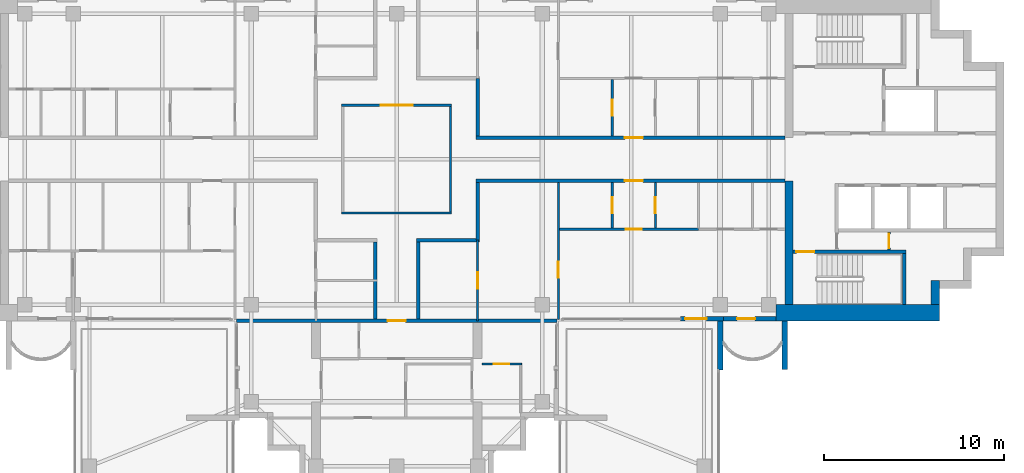
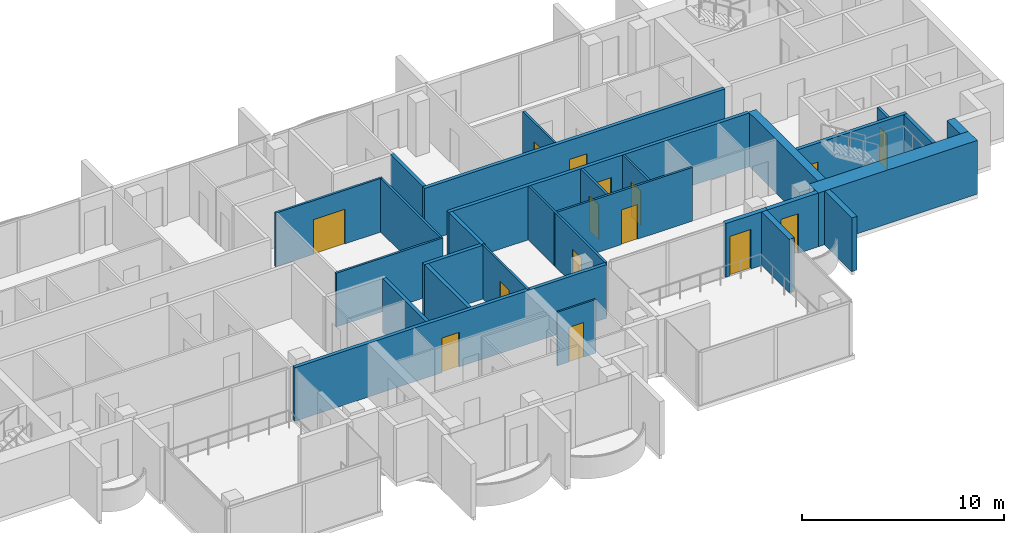
# One storey, part 10 of 16: 28 walls, 15 doors, 15 openings.
"""IFC4 building model written with IfcOpenShell, lengths in metres."""

from ifc_helpers import new_model, si_unit, direction, frame, frame_2d, origin, place, context, subcontext, project, spatial, rectangle, extrude, material, layer, layer_set, type_object, element, fill, save


model = new_model("IFC4")

# Units and contexts
model_context = context("Model", 3, precision=1e-05, world=origin(), true_north=direction((0.0, 1.0)))
body_context = subcontext(model_context, "Body", "Model", "MODEL_VIEW")
ifc_project = project(units=[si_unit("LENGTHUNIT", "METRE"), si_unit("AREAUNIT", "SQUARE_METRE"), si_unit("VOLUMEUNIT", "CUBIC_METRE"), si_unit("PLANEANGLEUNIT", "RADIAN"), si_unit("MASSUNIT", "GRAM", prefix="KILO")], contexts=[model_context])

# Site, building, storey
site_placement = place(None, origin())
site = spatial("IfcSite", under=ifc_project, at=site_placement, CompositionType="ELEMENT")
building_placement = place(site_placement, origin())
building = spatial("IfcBuilding", under=site, at=building_placement, Name="Perihelion Cross Residences", CompositionType="ELEMENT")
storey_placement = place(building_placement, frame((0.0, 0.0, 243.0)))
storey = spatial("IfcBuildingStorey", under=building, at=storey_placement, Name="L61", CompositionType="ELEMENT", Elevation=243.0)

# Wall, opening, door
ifc_material_1 = material(Name="Plasterboard partition")
ifc_layer_1 = layer(ifc_material_1, 0.199951171875)
ifc_layer_set_1 = layer_set([ifc_layer_1], Name="Apartment separation wall 200")
wall_type_1 = type_object("IfcWallType", Name="Apartment separation wall 200", PredefinedType="PARTITIONING", material=ifc_layer_set_1)
wall_1_placement = place(storey_placement, frame((4.39990234375, 1.199951171875, 0.0), z_axis=(0.0, 0.0, 1.0), x_axis=(1.0, 0.0, 0.0)))
wall_1 = element("IfcWall", 1, at=wall_1_placement, inside=storey, type_object=wall_type_1, Name="Partition L61 W005", PredefinedType="PARTITIONING", context=body_context, shape_type="SweptSolid", body=[
    extrude(rectangle(XDim=17.2001953125, YDim=0.199951171875, at=frame_2d((8.60009765625, 0.0))), origin(), (0.0, 0.0, 1.0), 3.25),
])
opening_1_placement = place(wall_1_placement, frame((8.300048828125, 0.0, 0.0)))
opening_1 = element("IfcOpeningElement", 2, at=opening_1_placement, cuts=wall_1, Name="Opening L61.A38", PredefinedType="OPENING", context=body_context, shape_type="SweptSolid", body=[
    extrude(rectangle(XDim=1.0, YDim=2.10009765625, at=frame_2d((0.5, 1.050048828125))), frame((0.0, 0.10986328125, 0.0), z_axis=(0.0, -1.0, 0.0), x_axis=(1.0, 0.0, 0.0)), (0.0, 0.0, 1.0), 0.219970703125),
])
ifc_material_2 = material(Name="Timber door leaf", Category="wood")
door_type_1 = type_object("IfcDoorType", Name="Flat entrance door 1000 x 2100", OperationType="SINGLE_SWING_LEFT", PredefinedType="DOOR", material=ifc_material_2)
door_1_placement = place(opening_1_placement, origin())
door_1 = element("IfcDoor", 3, at=door_1_placement, inside=storey, type_object=door_type_1, Name="Door L61.A38", OperationType="SINGLE_SWING_LEFT", OverallHeight=2.10009765625, OverallWidth=1.0, PredefinedType="DOOR", context=body_context, shape_type="SweptSolid", body=[
    extrude(rectangle(XDim=1.0, YDim=2.10009765625, at=frame_2d((0.5, 1.050048828125))), frame((0.0, 0.02490234375, 0.0), z_axis=(0.0, -1.0, 0.0), x_axis=(1.0, 0.0, 0.0)), (0.0, 0.0, 1.0), 0.050048828125),
])
fill(opening_1, door_1)

# Wall
wall_2_placement = place(storey_placement, frame((4.5, 4.5, 0.0), z_axis=(0.0, 0.0, 1.0), x_axis=(0.0, -1.0, 0.0)))
element("IfcWall", 4, at=wall_2_placement, inside=storey, type_object=wall_type_1, Name="Partition L61 W006", PredefinedType="PARTITIONING", context=body_context, shape_type="SweptSolid", body=[
    extrude(rectangle(XDim=3.199951171875, YDim=0.199951171875, at=frame_2d((1.60009765625, 0.0))), origin(), (0.0, 0.0, 1.0), 3.25),
])

# Wall, opening, door
wall_3_placement = place(storey_placement, frame((21.60009765625, -1.199951171875, 0.0), z_axis=(0.0, 0.0, 1.0), x_axis=(-1.0, 0.0, 0.0)))
wall_3 = element("IfcWall", 5, at=wall_3_placement, inside=storey, type_object=wall_type_1, Name="Partition L61 W009", PredefinedType="PARTITIONING", context=body_context, shape_type="SweptSolid", body=[
    extrude(rectangle(XDim=17.2001953125, YDim=0.199951171875, at=frame_2d((8.60009765625, 0.0))), origin(), (0.0, 0.0, 1.0), 3.25),
])
opening_2_placement = place(wall_3_placement, frame((7.89990234375, 0.0, 0.0)))
opening_2 = element("IfcOpeningElement", 6, at=opening_2_placement, cuts=wall_3, Name="Opening L61.A39", PredefinedType="OPENING", context=body_context, shape_type="SweptSolid", body=[
    extrude(rectangle(XDim=1.0, YDim=2.10009765625, at=frame_2d((0.5, 1.050048828125))), frame((0.0, 0.10986328125, 0.0), z_axis=(0.0, -1.0, 0.0), x_axis=(1.0, 0.0, 0.0)), (0.0, 0.0, 1.0), 0.219970703125),
])
door_2_placement = place(opening_2_placement, origin())
door_2 = element("IfcDoor", 7, at=door_2_placement, inside=storey, type_object=door_type_1, Name="Door L61.A39", OperationType="SINGLE_SWING_LEFT", OverallHeight=2.10009765625, OverallWidth=1.0, PredefinedType="DOOR", context=body_context, shape_type="SweptSolid", body=[
    extrude(rectangle(XDim=1.0, YDim=2.10009765625, at=frame_2d((0.5, 1.050048828125))), frame((0.0, 0.02490234375, 0.0), z_axis=(0.0, -1.0, 0.0), x_axis=(1.0, 0.0, 0.0)), (0.0, 0.0, 1.0), 0.050048828125),
])
fill(opening_2, door_2)

# Walls
wall_4_placement = place(storey_placement, frame((4.5, -1.300048828125, 0.0), z_axis=(0.0, 0.0, 1.0), x_axis=(0.0, -1.0, 0.0)))
element("IfcWall", 8, at=wall_4_placement, inside=storey, type_object=wall_type_1, Name="Partition L61 W010", PredefinedType="PARTITIONING", context=body_context, shape_type="SweptSolid", body=[
    extrude(rectangle(XDim=3.199951171875, YDim=0.199951171875, at=frame_2d((1.60009765625, 0.0))), origin(), (0.0, 0.0, 1.0), 3.25),
])
wall_5_placement = place(storey_placement, frame((4.60009765625, -4.5, 0.0), z_axis=(0.0, 0.0, 1.0), x_axis=(-1.0, 0.0, 0.0)))
element("IfcWall", 9, at=wall_5_placement, inside=storey, type_object=wall_type_1, Name="Partition L61 W011", PredefinedType="PARTITIONING", context=body_context, shape_type="SweptSolid", body=[
    extrude(rectangle(XDim=3.5, YDim=0.199951171875, at=frame_2d((1.75, 0.0))), origin(), (0.0, 0.0, 1.0), 3.25),
])
for number, where, z_axis, x_axis, name in (
    (10, (1.199951171875, -4.60009765625, 0.0), (0.0, 0.0, 1.0), (0.0, -1.0, 0.0), "Partition L61 W012"),
    (11, (-1.199951171875, -8.89990234375, 0.0), (0.0, 0.0, 1.0), (0.0, 1.0, 0.0), "Partition L61 W019"),
):
    element("IfcWall", number, at=place(storey_placement, frame(where, z_axis=z_axis, x_axis=x_axis)), inside=storey, type_object=wall_type_1, Name=name, PredefinedType="PARTITIONING", context=body_context, shape_type="SweptSolid", body=[
        extrude(rectangle(XDim=4.2998046875, YDim=0.199951171875, at=frame_2d((2.14990234375, 0.0))), origin(), (0.0, 0.0, 1.0), 3.25),
    ])

# Wall, opening, door
wall_6_placement = place(storey_placement, frame((8.919921875, -9.0, 0.0), z_axis=(0.0, 0.0, 1.0), x_axis=(-1.0, 0.0, 0.0)))
wall_6 = element("IfcWall", 12, at=wall_6_placement, inside=storey, type_object=wall_type_1, Name="Partition L61 W021", PredefinedType="PARTITIONING", context=body_context, shape_type="SweptSolid", body=[
    extrude(rectangle(XDim=17.83984375, YDim=0.199951171875, at=frame_2d((8.919921875, 0.0))), origin(), (0.0, 0.0, 1.0), 3.25),
])
opening_3_placement = place(wall_6_placement, frame((8.419921875, 0.0, 0.0)))
opening_3 = element("IfcOpeningElement", 13, at=opening_3_placement, cuts=wall_6, Name="Opening L61.A32", PredefinedType="OPENING", context=body_context, shape_type="SweptSolid", body=[
    extrude(rectangle(XDim=1.0, YDim=2.10009765625, at=frame_2d((0.5, 1.050048828125))), frame((0.0, 0.10986328125, 0.0), z_axis=(0.0, -1.0, 0.0), x_axis=(1.0, 0.0, 0.0)), (0.0, 0.0, 1.0), 0.219970703125),
])
door_3_placement = place(opening_3_placement, origin())
door_3 = element("IfcDoor", 14, at=door_3_placement, inside=storey, type_object=door_type_1, Name="Door L61.A32", OperationType="SINGLE_SWING_RIGHT", OverallHeight=2.10009765625, OverallWidth=1.0, PredefinedType="DOOR", context=body_context, shape_type="SweptSolid", body=[
    extrude(rectangle(XDim=1.0, YDim=2.10009765625, at=frame_2d((0.5, 1.050048828125))), frame((0.0, 0.02490234375, 0.0), z_axis=(0.0, -1.0, 0.0), x_axis=(1.0, 0.0, 0.0)), (0.0, 0.0, 1.0), 0.050048828125),
])
fill(opening_3, door_3)

ifc_material_3 = material(Name="Concrete C30/37, bronze-clad", Category="concrete")
ifc_layer_2 = layer(ifc_material_3, 0.25)
ifc_layer_set_2 = layer_set([ifc_layer_2], Name="Bronze-clad pier wall 250")
wall_type_2 = type_object("IfcWallType", Name="Bronze-clad pier wall 250", PredefinedType="SOLIDWALL", material=ifc_layer_set_2)
wall_7_placement = place(storey_placement, frame((15.800048828125, -8.875, 0.0), z_axis=(0.0, 0.0, 1.0), x_axis=(1.0, 0.0, 0.0)))
wall_7 = element("IfcWall", 15, at=wall_7_placement, inside=storey, type_object=wall_type_2, Name="Wall FW1 L61 east side south bay 1 pier", PredefinedType="SOLIDWALL", context=body_context, shape_type="SweptSolid", body=[
    extrude(rectangle(XDim=2.39990234375, YDim=0.25, at=frame_2d((1.199951171875, 0.0))), origin(), (0.0, 0.0, 1.0), 3.25),
])
opening_4_placement = place(wall_7_placement, frame((0.25, 0.0, 0.0)))
opening_4 = element("IfcOpeningElement", 16, at=opening_4_placement, cuts=wall_7, Name="Opening L61.E13", PredefinedType="OPENING", context=body_context, shape_type="SweptSolid", body=[
    extrude(rectangle(XDim=1.199951171875, YDim=2.39990234375, at=frame_2d((0.60009765625, 1.199951171875))), frame((0.0, 0.135009765625, 0.0), z_axis=(0.0, -1.0, 0.0), x_axis=(1.0, 0.0, 0.0)), (0.0, 0.0, 1.0), 0.27001953125),
])
ifc_material_4 = material(Name="Bronze anodised aluminium, glazed", Category="aluminium")
door_type_2 = type_object("IfcDoorType", Name="Balcony door 1200 x 2400", OperationType="NOTDEFINED", PredefinedType="DOOR", material=ifc_material_4)
door_4_placement = place(opening_4_placement, origin())
door_4 = element("IfcDoor", 17, at=door_4_placement, inside=storey, type_object=door_type_2, Name="Door L61.E13 east side south bay 1", OperationType="SINGLE_SWING_LEFT", OverallHeight=2.39990234375, OverallWidth=1.199951171875, PredefinedType="DOOR", context=body_context, shape_type="SweptSolid", body=[
    extrude(rectangle(XDim=1.199951171875, YDim=2.39990234375, at=frame_2d((0.60009765625, 1.199951171875))), frame((0.0, 0.02490234375, 0.0), z_axis=(0.0, -1.0, 0.0), x_axis=(1.0, 0.0, 0.0)), (0.0, 0.0, 1.0), 0.050048828125),
])
fill(opening_4, door_4)

wall_8_placement = place(storey_placement, frame((18.199951171875, -8.875, 0.0), z_axis=(0.0, 0.0, 1.0), x_axis=(1.0, 0.0, 0.0)))
wall_8 = element("IfcWall", 18, at=wall_8_placement, inside=storey, type_object=wall_type_2, Name="Wall FW1 L61 east side south bay 2 pier", PredefinedType="SOLIDWALL", context=body_context, shape_type="SweptSolid", body=[
    extrude(rectangle(XDim=2.900146484375, YDim=0.25, at=frame_2d((1.4501953125, 0.0))), origin(), (0.0, 0.0, 1.0), 3.25),
])
opening_5_placement = place(wall_8_placement, frame((0.75, 0.0, 0.0)))
opening_5 = element("IfcOpeningElement", 19, at=opening_5_placement, cuts=wall_8, Name="Opening L61.E14", PredefinedType="OPENING", context=body_context, shape_type="SweptSolid", body=[
    extrude(rectangle(XDim=1.0, YDim=2.39990234375, at=frame_2d((0.5, 1.199951171875))), frame((0.0, 0.135009765625, 0.0), z_axis=(0.0, -1.0, 0.0), x_axis=(1.0, 0.0, 0.0)), (0.0, 0.0, 1.0), 0.27001953125),
])
ifc_material_5 = material(Name="Bronze anodised aluminium, glazed", Category="aluminium")
door_type_3 = type_object("IfcDoorType", Name="Balcony door 1000 x 2400", OperationType="NOTDEFINED", PredefinedType="DOOR", material=ifc_material_5)
door_5_placement = place(opening_5_placement, origin())
door_5 = element("IfcDoor", 20, at=door_5_placement, inside=storey, type_object=door_type_3, Name="Door L61.E14 east side south bay 2", OperationType="SINGLE_SWING_RIGHT", OverallHeight=2.39990234375, OverallWidth=1.0, PredefinedType="DOOR", context=body_context, shape_type="SweptSolid", body=[
    extrude(rectangle(XDim=1.0, YDim=2.39990234375, at=frame_2d((0.5, 1.199951171875))), frame((0.0, 0.02490234375, 0.0), z_axis=(0.0, -1.0, 0.0), x_axis=(1.0, 0.0, 0.0)), (0.0, 0.0, 1.0), 0.050048828125),
])
fill(opening_5, door_5)

# Walls
ifc_material_6 = material(Name="Concrete C60/75", Category="concrete")
ifc_layer_3 = layer(ifc_material_6, 0.449951171875)
ifc_layer_set_3 = layer_set([ifc_layer_3], Name="Core wall, inner 450")
wall_type_3 = type_object("IfcWallType", Name="Core wall, inner 450", PredefinedType="SHEAR", material=ifc_layer_set_3)
wall_9_placement = place(storey_placement, frame((21.824951171875, -8.10009765625, 0.0), z_axis=(0.0, 0.0, 1.0), x_axis=(0.0, 1.0, 0.0)))
element("IfcWall", 21, at=wall_9_placement, inside=storey, type_object=wall_type_3, Name="East core core wall, inner", PredefinedType="SHEAR", context=body_context, shape_type="SweptSolid", body=[
    extrude(rectangle(XDim=6.900146484375, YDim=0.449951171875, at=frame_2d((3.4501953125, 0.0))), origin(), (0.0, 0.0, 1.0), 3.25),
])
ifc_material_7 = material(Name="Concrete C60/75", Category="concrete")
ifc_layer_4 = layer(ifc_material_7, 0.449951171875)
ifc_layer_set_4 = layer_set([ifc_layer_4], Name="Core wall, outer 450")
wall_type_4 = type_object("IfcWallType", Name="Core wall, outer 450", PredefinedType="SHEAR", material=ifc_layer_set_4)
wall_10_placement = place(storey_placement, frame((29.97509765625, -8.10009765625, 0.0), z_axis=(0.0, 0.0, 1.0), x_axis=(0.0, 1.0, 0.0)))
element("IfcWall", 22, at=wall_10_placement, inside=storey, type_object=wall_type_4, Name="East core core wall, outer", PredefinedType="SHEAR", context=body_context, shape_type="SweptSolid", body=[
    extrude(rectangle(XDim=1.35009765625, YDim=0.449951171875, at=frame_2d((0.675048828125, 0.0))), origin(), (0.0, 0.0, 1.0), 3.25),
])
ifc_material_8 = material(Name="Concrete C60/75", Category="concrete")
ifc_layer_5 = layer(ifc_material_8, 0.89990234375)
ifc_layer_set_5 = layer_set([ifc_layer_5], Name="Core wall, outer 900")
wall_type_5 = type_object("IfcWallType", Name="Core wall, outer 900", PredefinedType="SHEAR", material=ifc_layer_set_5)
wall_11_placement = place(storey_placement, frame((21.10009765625, -8.550048828125, 0.0), z_axis=(0.0, 0.0, 1.0), x_axis=(1.0, 0.0, 0.0)))
element("IfcWall", 23, at=wall_11_placement, inside=storey, type_object=wall_type_5, Name="East core core wall, outer", PredefinedType="SHEAR", context=body_context, shape_type="SweptSolid", body=[
    extrude(rectangle(XDim=9.099853515625, YDim=0.89990234375, at=frame_2d((4.5498046875, 0.0))), origin(), (0.0, 0.0, 1.0), 3.25),
])
ifc_material_9 = material(Name="Plasterboard partition")
ifc_layer_6 = layer(ifc_material_9, 0.1201171875)
ifc_layer_set_6 = layer_set([ifc_layer_6], Name="Partition wall 120")
wall_type_6 = type_object("IfcWallType", Name="Partition wall 120", PredefinedType="PARTITIONING", material=ifc_layer_set_6)
wall_12_placement = place(storey_placement, frame((-3.06005859375, -3.0, 0.0), z_axis=(0.0, 0.0, 1.0), x_axis=(1.0, 0.0, 0.0)))
element("IfcWall", 24, at=wall_12_placement, inside=storey, type_object=wall_type_6, Name="Partition L61 W001", PredefinedType="PARTITIONING", context=body_context, shape_type="SweptSolid", body=[
    extrude(rectangle(XDim=6.1201171875, YDim=0.1201171875, at=frame_2d((3.06005859375, 0.0))), origin(), (0.0, 0.0, 1.0), 3.25),
])
wall_13_placement = place(storey_placement, frame((3.0, -2.93994140625, 0.0), z_axis=(0.0, 0.0, 1.0), x_axis=(0.0, 1.0, 0.0)))
element("IfcWall", 25, at=wall_13_placement, inside=storey, type_object=wall_type_6, Name="Partition L61 W002", PredefinedType="PARTITIONING", context=body_context, shape_type="SweptSolid", body=[
    extrude(rectangle(XDim=5.8798828125, YDim=0.1201171875, at=frame_2d((2.93994140625, 0.0))), origin(), (0.0, 0.0, 1.0), 3.25),
])

# Wall, opening, door
wall_14_placement = place(storey_placement, frame((3.06005859375, 3.0, 0.0), z_axis=(0.0, 0.0, 1.0), x_axis=(-1.0, 0.0, 0.0)))
wall_14 = element("IfcWall", 26, at=wall_14_placement, inside=storey, type_object=wall_type_6, Name="Partition L61 W003", PredefinedType="PARTITIONING", context=body_context, shape_type="SweptSolid", body=[
    extrude(rectangle(XDim=6.1201171875, YDim=0.1201171875, at=frame_2d((3.06005859375, 0.0))), origin(), (0.0, 0.0, 1.0), 3.25),
])
opening_6_placement = place(wall_14_placement, frame((2.159912109375, 0.0, 0.0)))
opening_6 = element("IfcOpeningElement", 27, at=opening_6_placement, cuts=wall_14, Name="Opening L61.A01", PredefinedType="OPENING", context=body_context, shape_type="SweptSolid", body=[
    extrude(rectangle(XDim=1.800048828125, YDim=2.10009765625, at=frame_2d((0.89990234375, 1.050048828125))), frame((0.0, 0.070068359375, 0.0), z_axis=(0.0, -1.0, 0.0), x_axis=(1.0, 0.0, 0.0)), (0.0, 0.0, 1.0), 0.14013671875),
])
ifc_material_10 = material(Name="Glazed timber door leaf", Category="wood")
door_type_4 = type_object("IfcDoorType", Name="Interior double leaf door 1800 x 2100", OperationType="DOUBLE_DOOR_SINGLE_SWING", PredefinedType="DOOR", material=ifc_material_10)
door_6_placement = place(opening_6_placement, origin())
door_6 = element("IfcDoor", 28, at=door_6_placement, inside=storey, type_object=door_type_4, Name="Door L61.A01", OperationType="SINGLE_SWING_LEFT", OverallHeight=2.10009765625, OverallWidth=1.800048828125, PredefinedType="DOOR", context=body_context, shape_type="SweptSolid", body=[
    extrude(rectangle(XDim=1.800048828125, YDim=2.10009765625, at=frame_2d((0.89990234375, 1.050048828125))), frame((0.0, 0.02490234375, 0.0), z_axis=(0.0, -1.0, 0.0), x_axis=(1.0, 0.0, 0.0)), (0.0, 0.0, 1.0), 0.050048828125),
])
fill(opening_6, door_6)

wall_15_placement = place(storey_placement, frame((12.0, 4.43994140625, 0.0), z_axis=(0.0, 0.0, 1.0), x_axis=(0.0, -1.0, 0.0)))
wall_15 = element("IfcWall", 29, at=wall_15_placement, inside=storey, type_object=wall_type_6, Name="Partition L61 W022", PredefinedType="PARTITIONING", context=body_context, shape_type="SweptSolid", body=[
    extrude(rectangle(XDim=3.139892578125, YDim=0.1201171875, at=frame_2d((1.56982421875, 0.0))), origin(), (0.0, 0.0, 1.0), 3.25),
])
opening_7_placement = place(wall_15_placement, frame((1.1201171875, 0.0, 0.0)))
opening_7 = element("IfcOpeningElement", 30, at=opening_7_placement, cuts=wall_15, Name="Opening L61.A04", PredefinedType="OPENING", context=body_context, shape_type="SweptSolid", body=[
    extrude(rectangle(XDim=0.89990234375, YDim=2.10009765625, at=frame_2d((0.449951171875, 1.050048828125))), frame((0.0, 0.070068359375, 0.0), z_axis=(0.0, -1.0, 0.0), x_axis=(1.0, 0.0, 0.0)), (0.0, 0.0, 1.0), 0.14013671875),
])
ifc_material_11 = material(Name="Timber door leaf", Category="wood")
door_type_5 = type_object("IfcDoorType", Name="Interior room door 900 x 2100", OperationType="SINGLE_SWING_LEFT", PredefinedType="DOOR", material=ifc_material_11)
door_7_placement = place(opening_7_placement, origin())
door_7 = element("IfcDoor", 31, at=door_7_placement, inside=storey, type_object=door_type_5, Name="Door L61.A04", OperationType="SINGLE_SWING_RIGHT", OverallHeight=2.10009765625, OverallWidth=0.89990234375, PredefinedType="DOOR", context=body_context, shape_type="SweptSolid", body=[
    extrude(rectangle(XDim=0.89990234375, YDim=2.10009765625, at=frame_2d((0.449951171875, 1.050048828125))), frame((0.0, 0.02490234375, 0.0), z_axis=(0.0, -1.0, 0.0), x_axis=(1.0, 0.0, 0.0)), (0.0, 0.0, 1.0), 0.050048828125),
])
fill(opening_7, door_7)

wall_16_placement = place(storey_placement, frame((12.0, -1.300048828125, 0.0), z_axis=(0.0, 0.0, 1.0), x_axis=(0.0, -1.0, 0.0)))
wall_16 = element("IfcWall", 32, at=wall_16_placement, inside=storey, type_object=wall_type_6, Name="Partition L61 W031", PredefinedType="PARTITIONING", context=body_context, shape_type="SweptSolid", body=[
    extrude(rectangle(XDim=2.5400390625, YDim=0.1201171875, at=frame_2d((1.27001953125, 0.0))), origin(), (0.0, 0.0, 1.0), 3.25),
])
opening_8_placement = place(wall_16_placement, frame((0.820068359375, 0.0, 0.0)))
opening_8 = element("IfcOpeningElement", 33, at=opening_8_placement, cuts=wall_16, Name="Opening L61.A11", PredefinedType="OPENING", context=body_context, shape_type="SweptSolid", body=[
    extrude(rectangle(XDim=0.89990234375, YDim=2.10009765625, at=frame_2d((0.449951171875, 1.050048828125))), frame((0.0, 0.070068359375, 0.0), z_axis=(0.0, -1.0, 0.0), x_axis=(1.0, 0.0, 0.0)), (0.0, 0.0, 1.0), 0.14013671875),
])
door_8_placement = place(opening_8_placement, origin())
door_8 = element("IfcDoor", 34, at=door_8_placement, inside=storey, type_object=door_type_5, Name="Door L61.A11", OperationType="SINGLE_SWING_RIGHT", OverallHeight=2.10009765625, OverallWidth=0.89990234375, PredefinedType="DOOR", context=body_context, shape_type="SweptSolid", body=[
    extrude(rectangle(XDim=0.89990234375, YDim=2.10009765625, at=frame_2d((0.449951171875, 1.050048828125))), frame((0.0, 0.02490234375, 0.0), z_axis=(0.0, -1.0, 0.0), x_axis=(1.0, 0.0, 0.0)), (0.0, 0.0, 1.0), 0.050048828125),
])
fill(opening_8, door_8)

wall_17_placement = place(storey_placement, frame((16.800048828125, -3.89990234375, 0.0), z_axis=(0.0, 0.0, 1.0), x_axis=(-1.0, 0.0, 0.0)))
wall_17 = element("IfcWall", 35, at=wall_17_placement, inside=storey, type_object=wall_type_6, Name="Partition L61 W032", PredefinedType="PARTITIONING", context=body_context, shape_type="SweptSolid", body=[
    extrude(rectangle(XDim=7.860107421875, YDim=0.1201171875, at=frame_2d((3.93017578125, 0.0))), origin(), (0.0, 0.0, 1.0), 3.25),
])
opening_9_placement = place(wall_17_placement, frame((3.14990234375, 0.0, 0.0)))
opening_9 = element("IfcOpeningElement", 36, at=opening_9_placement, cuts=wall_17, Name="Opening L61.A13", PredefinedType="OPENING", context=body_context, shape_type="SweptSolid", body=[
    extrude(rectangle(XDim=0.89990234375, YDim=2.10009765625, at=frame_2d((0.449951171875, 1.050048828125))), frame((0.0, 0.070068359375, 0.0), z_axis=(0.0, -1.0, 0.0), x_axis=(1.0, 0.0, 0.0)), (0.0, 0.0, 1.0), 0.14013671875),
])
door_9_placement = place(opening_9_placement, origin())
door_9 = element("IfcDoor", 37, at=door_9_placement, inside=storey, type_object=door_type_5, Name="Door L61.A13", OperationType="SINGLE_SWING_RIGHT", OverallHeight=2.10009765625, OverallWidth=0.89990234375, PredefinedType="DOOR", context=body_context, shape_type="SweptSolid", body=[
    extrude(rectangle(XDim=0.89990234375, YDim=2.10009765625, at=frame_2d((0.449951171875, 1.050048828125))), frame((0.0, 0.02490234375, 0.0), z_axis=(0.0, -1.0, 0.0), x_axis=(1.0, 0.0, 0.0)), (0.0, 0.0, 1.0), 0.050048828125),
])
fill(opening_9, door_9)

wall_18_placement = place(storey_placement, frame((9.0, -8.919921875, 0.0), z_axis=(0.0, 0.0, 1.0), x_axis=(0.0, 1.0, 0.0)))
wall_18 = element("IfcWall", 38, at=wall_18_placement, inside=storey, type_object=wall_type_6, Name="Partition L61 W033", PredefinedType="PARTITIONING", context=body_context, shape_type="SweptSolid", body=[
    extrude(rectangle(XDim=7.619873046875, YDim=0.1201171875, at=frame_2d((3.81005859375, 0.0))), origin(), (0.0, 0.0, 1.0), 3.25),
])
opening_10_placement = place(wall_18_placement, frame((2.320068359375, 0.0, 0.0)))
opening_10 = element("IfcOpeningElement", 39, at=opening_10_placement, cuts=wall_18, Name="Opening L61.A14", PredefinedType="OPENING", context=body_context, shape_type="SweptSolid", body=[
    extrude(rectangle(XDim=0.89990234375, YDim=2.10009765625, at=frame_2d((0.449951171875, 1.050048828125))), frame((0.0, 0.070068359375, 0.0), z_axis=(0.0, -1.0, 0.0), x_axis=(1.0, 0.0, 0.0)), (0.0, 0.0, 1.0), 0.14013671875),
])
door_10_placement = place(opening_10_placement, origin())
door_10 = element("IfcDoor", 40, at=door_10_placement, inside=storey, type_object=door_type_5, Name="Door L61.A14", OperationType="SINGLE_SWING_RIGHT", OverallHeight=2.10009765625, OverallWidth=0.89990234375, PredefinedType="DOOR", context=body_context, shape_type="SweptSolid", body=[
    extrude(rectangle(XDim=0.89990234375, YDim=2.10009765625, at=frame_2d((0.449951171875, 1.050048828125))), frame((0.0, 0.02490234375, 0.0), z_axis=(0.0, -1.0, 0.0), x_axis=(1.0, 0.0, 0.0)), (0.0, 0.0, 1.0), 0.050048828125),
])
fill(opening_10, door_10)

wall_19_placement = place(storey_placement, frame((14.39990234375, -1.300048828125, 0.0), z_axis=(0.0, 0.0, 1.0), x_axis=(0.0, -1.0, 0.0)))
wall_19 = element("IfcWall", 41, at=wall_19_placement, inside=storey, type_object=wall_type_6, Name="Partition L61 W034", PredefinedType="PARTITIONING", context=body_context, shape_type="SweptSolid", body=[
    extrude(rectangle(XDim=2.5400390625, YDim=0.1201171875, at=frame_2d((1.27001953125, 0.0))), origin(), (0.0, 0.0, 1.0), 3.25),
])
opening_11_placement = place(wall_19_placement, frame((0.820068359375, 0.0, 0.0)))
opening_11 = element("IfcOpeningElement", 42, at=opening_11_placement, cuts=wall_19, Name="Opening L61.A15", PredefinedType="OPENING", context=body_context, shape_type="SweptSolid", body=[
    extrude(rectangle(XDim=0.89990234375, YDim=2.10009765625, at=frame_2d((0.449951171875, 1.050048828125))), frame((0.0, 0.070068359375, 0.0), z_axis=(0.0, -1.0, 0.0), x_axis=(1.0, 0.0, 0.0)), (0.0, 0.0, 1.0), 0.14013671875),
])
door_11_placement = place(opening_11_placement, origin())
door_11 = element("IfcDoor", 43, at=door_11_placement, inside=storey, type_object=door_type_5, Name="Door L61.A15", OperationType="SINGLE_SWING_LEFT", OverallHeight=2.10009765625, OverallWidth=0.89990234375, PredefinedType="DOOR", context=body_context, shape_type="SweptSolid", body=[
    extrude(rectangle(XDim=0.89990234375, YDim=2.10009765625, at=frame_2d((0.449951171875, 1.050048828125))), frame((0.0, 0.02490234375, 0.0), z_axis=(0.0, -1.0, 0.0), x_axis=(1.0, 0.0, 0.0)), (0.0, 0.0, 1.0), 0.050048828125),
])
fill(opening_11, door_11)

wall_20_placement = place(storey_placement, frame((4.5, -9.0, 0.0), z_axis=(0.0, 0.0, 1.0), x_axis=(0.0, 1.0, 0.0)))
wall_20 = element("IfcWall", 44, at=wall_20_placement, inside=storey, type_object=wall_type_6, Name="Partition L61 W039", PredefinedType="PARTITIONING", context=body_context, shape_type="SweptSolid", body=[
    extrude(rectangle(XDim=4.5, YDim=0.1201171875, at=frame_2d((2.25, 0.0))), origin(), (0.0, 0.0, 1.0), 3.25),
])
opening_12_placement = place(wall_20_placement, frame((1.800048828125, 0.0, 0.0)))
opening_12 = element("IfcOpeningElement", 45, at=opening_12_placement, cuts=wall_20, Name="Opening L61.A10", PredefinedType="OPENING", context=body_context, shape_type="SweptSolid", body=[
    extrude(rectangle(XDim=0.89990234375, YDim=2.10009765625, at=frame_2d((0.449951171875, 1.050048828125))), frame((0.0, 0.070068359375, 0.0), z_axis=(0.0, -1.0, 0.0), x_axis=(1.0, 0.0, 0.0)), (0.0, 0.0, 1.0), 0.14013671875),
])
door_12_placement = place(opening_12_placement, origin())
door_12 = element("IfcDoor", 46, at=door_12_placement, inside=storey, type_object=door_type_5, Name="Door L61.A10", OperationType="SINGLE_SWING_LEFT", OverallHeight=2.10009765625, OverallWidth=0.89990234375, PredefinedType="DOOR", context=body_context, shape_type="SweptSolid", body=[
    extrude(rectangle(XDim=0.89990234375, YDim=2.10009765625, at=frame_2d((0.449951171875, 1.050048828125))), frame((0.0, 0.02490234375, 0.0), z_axis=(0.0, -1.0, 0.0), x_axis=(1.0, 0.0, 0.0)), (0.0, 0.0, 1.0), 0.050048828125),
])
fill(opening_12, door_12)

# Walls
ifc_material_12 = material(Name="Precast concrete C50/60", Category="concrete")
ifc_layer_7 = layer(ifc_material_12, 0.300048828125)
ifc_layer_set_7 = layer_set([ifc_layer_7], Name="Precast concrete C50/60 blade wall 300")
wall_type_7 = type_object("IfcWallType", Name="Precast concrete C50/60 blade wall 300", PredefinedType="SOLIDWALL", material=ifc_layer_set_7)
wall_21_placement = place(storey_placement, frame((18.0, -9.0, 0.0), z_axis=(0.0, 0.0, 1.0), x_axis=(0.0, -1.0, 0.0)))
element("IfcWall", 47, at=wall_21_placement, inside=storey, type_object=wall_type_7, Name="Wall BL1 L61 no. 10", PredefinedType="SOLIDWALL", context=body_context, shape_type="SweptSolid", body=[
    extrude(rectangle(XDim=2.739990234375, YDim=0.300048828125, at=frame_2d((1.3701171875, 0.0))), origin(), (0.0, 0.0, 1.0), 3.25),
])
wall_22_placement = place(storey_placement, frame((21.60009765625, -9.0, 0.0), z_axis=(0.0, 0.0, 1.0), x_axis=(0.0, -1.0, 0.0)))
element("IfcWall", 48, at=wall_22_placement, inside=storey, type_object=wall_type_7, Name="Wall BL1 L61 no. 12", PredefinedType="SOLIDWALL", context=body_context, shape_type="SweptSolid", body=[
    extrude(rectangle(XDim=2.699951171875, YDim=0.300048828125, at=frame_2d((1.35009765625, 0.0))), origin(), (0.0, 0.0, 1.0), 3.25),
])

# Wall, opening, door
ifc_material_13 = material(Name="Fire-rated board on steel stud", Category="steel")
ifc_layer_8 = layer(ifc_material_13, 0.14990234375)
ifc_layer_set_8 = layer_set([ifc_layer_8], Name="Riser wall 150")
wall_type_8 = type_object("IfcWallType", Name="Riser wall 150", PredefinedType="PARTITIONING", material=ifc_layer_set_8)
wall_23_placement = place(storey_placement, frame((27.39990234375, -5.050048828125, 0.0), z_axis=(0.0, 0.0, 1.0), x_axis=(0.0, 1.0, 0.0)))
wall_23 = element("IfcWall", 49, at=wall_23_placement, inside=storey, type_object=wall_type_8, Name="East core riser wall", PredefinedType="PARTITIONING", context=body_context, shape_type="SweptSolid", body=[
    extrude(rectangle(XDim=1.0, YDim=0.14990234375, at=frame_2d((0.5, 0.0))), origin(), (0.0, 0.0, 1.0), 3.25),
])
opening_13_placement = place(wall_23_placement, frame((0.10009765625, 0.0, 0.0)))
opening_13 = element("IfcOpeningElement", 50, at=opening_13_placement, cuts=wall_23, Name="Opening L61.C11", PredefinedType="OPENING", context=body_context, shape_type="SweptSolid", body=[
    extrude(rectangle(XDim=0.800048828125, YDim=2.10009765625, at=frame_2d((0.39990234375, 1.050048828125))), frame((0.0, 0.0849609375, 0.0), z_axis=(0.0, -1.0, 0.0), x_axis=(1.0, 0.0, 0.0)), (0.0, 0.0, 1.0), 0.169921875),
])
ifc_material_14 = material(Name="Steel, powder coated", Category="steel")
door_type_6 = type_object("IfcDoorType", Name="Riser door 800", OperationType="SINGLE_SWING_LEFT", PredefinedType="DOOR", material=ifc_material_14)
door_13_placement = place(opening_13_placement, origin())
door_13 = element("IfcDoor", 51, at=door_13_placement, inside=storey, type_object=door_type_6, Name="East core riser door", OperationType="SINGLE_SWING_LEFT", OverallHeight=2.10009765625, OverallWidth=0.800048828125, PredefinedType="DOOR", context=body_context, shape_type="SweptSolid", body=[
    extrude(rectangle(XDim=0.800048828125, YDim=2.10009765625, at=frame_2d((0.39990234375, 1.050048828125))), frame((0.0, 0.02490234375, 0.0), z_axis=(0.0, -1.0, 0.0), x_axis=(1.0, 0.0, 0.0)), (0.0, 0.0, 1.0), 0.050048828125),
])
fill(opening_13, door_13)

ifc_material_15 = material(Name="Concrete C50/60", Category="concrete")
ifc_layer_9 = layer(ifc_material_15, 0.199951171875)
ifc_layer_set_9 = layer_set([ifc_layer_9], Name="Stair wall 200")
wall_type_9 = type_object("IfcWallType", Name="Stair wall 200", PredefinedType="SOLIDWALL", material=ifc_layer_set_9)
wall_24_placement = place(storey_placement, frame((22.050048828125, -5.14990234375, 0.0), z_axis=(0.0, 0.0, 1.0), x_axis=(1.0, 0.0, 0.0)))
wall_24 = element("IfcWall", 52, at=wall_24_placement, inside=storey, type_object=wall_type_9, Name="East core stair wall", PredefinedType="SOLIDWALL", context=body_context, shape_type="SweptSolid", body=[
    extrude(rectangle(XDim=6.300048828125, YDim=0.199951171875, at=frame_2d((3.14990234375, 0.0))), origin(), (0.0, 0.0, 1.0), 3.25),
])
opening_14_placement = place(wall_24_placement, frame((0.199951171875, 0.0, 0.0)))
opening_14 = element("IfcOpeningElement", 53, at=opening_14_placement, cuts=wall_24, Name="Opening L61.C05", PredefinedType="OPENING", context=body_context, shape_type="SweptSolid", body=[
    extrude(rectangle(XDim=1.0, YDim=2.10009765625, at=frame_2d((0.5, 1.050048828125))), frame((0.0, 0.10986328125, 0.0), z_axis=(0.0, -1.0, 0.0), x_axis=(1.0, 0.0, 0.0)), (0.0, 0.0, 1.0), 0.219970703125),
])
ifc_material_16 = material(Name="Steel, powder coated", Category="steel")
door_type_7 = type_object("IfcDoorType", Name="Stair door 1000", OperationType="SINGLE_SWING_LEFT", PredefinedType="DOOR", material=ifc_material_16)
door_14_placement = place(opening_14_placement, origin())
door_14 = element("IfcDoor", 54, at=door_14_placement, inside=storey, type_object=door_type_7, Name="East core stair door", OperationType="SINGLE_SWING_LEFT", OverallHeight=2.10009765625, OverallWidth=1.0, PredefinedType="DOOR", context=body_context, shape_type="SweptSolid", body=[
    extrude(rectangle(XDim=1.0, YDim=2.10009765625, at=frame_2d((0.5, 1.050048828125))), frame((0.0, 0.02490234375, 0.0), z_axis=(0.0, -1.0, 0.0), x_axis=(1.0, 0.0, 0.0)), (0.0, 0.0, 1.0), 0.050048828125),
])
fill(opening_14, door_14)

# Wall
wall_25_placement = place(storey_placement, frame((28.25, -8.10009765625, 0.0), z_axis=(0.0, 0.0, 1.0), x_axis=(0.0, 1.0, 0.0)))
element("IfcWall", 55, at=wall_25_placement, inside=storey, type_object=wall_type_9, Name="East core stair wall", PredefinedType="SOLIDWALL", context=body_context, shape_type="SweptSolid", body=[
    extrude(rectangle(XDim=2.85009765625, YDim=0.199951171875, at=frame_2d((1.425048828125, 0.0))), origin(), (0.0, 0.0, 1.0), 3.25),
])

# Wall, opening, door
ifc_material_17 = material(Name="Plasterboard partition")
ifc_layer_10 = layer(ifc_material_17, 0.10009765625)
ifc_layer_set_10 = layer_set([ifc_layer_10], Name="Wet room wall 100")
wall_type_10 = type_object("IfcWallType", Name="Wet room wall 100", PredefinedType="PARTITIONING", material=ifc_layer_set_10)
wall_26_placement = place(storey_placement, frame((6.949951171875, -11.39990234375, 0.0), z_axis=(0.0, 0.0, 1.0), x_axis=(-1.0, 0.0, 0.0)))
wall_26 = element("IfcWall", 56, at=wall_26_placement, inside=storey, type_object=wall_type_10, Name="Partition L61 W068", PredefinedType="PARTITIONING", context=body_context, shape_type="SweptSolid", body=[
    extrude(rectangle(XDim=2.199951171875, YDim=0.10009765625, at=frame_2d((1.10009765625, 0.0))), origin(), (0.0, 0.0, 1.0), 3.25),
])
opening_15_placement = place(wall_26_placement, frame((0.699951171875, 0.0, 0.0)))
opening_15 = element("IfcOpeningElement", 57, at=opening_15_placement, cuts=wall_26, Name="Opening L61.A37", PredefinedType="OPENING", context=body_context, shape_type="SweptSolid", body=[
    extrude(rectangle(XDim=0.85009765625, YDim=2.10009765625, at=frame_2d((0.425048828125, 1.050048828125))), frame((0.0, 0.06005859375, 0.0), z_axis=(0.0, -1.0, 0.0), x_axis=(1.0, 0.0, 0.0)), (0.0, 0.0, 1.0), 0.1201171875),
])
ifc_material_18 = material(Name="Timber door leaf", Category="wood")
door_type_8 = type_object("IfcDoorType", Name="Interior bathroom door 850 x 2100", OperationType="SINGLE_SWING_LEFT", PredefinedType="DOOR", material=ifc_material_18)
door_15_placement = place(opening_15_placement, origin())
door_15 = element("IfcDoor", 58, at=door_15_placement, inside=storey, type_object=door_type_8, Name="Door L61.A37", OperationType="SINGLE_SWING_LEFT", OverallHeight=2.10009765625, OverallWidth=0.85009765625, PredefinedType="DOOR", context=body_context, shape_type="SweptSolid", body=[
    extrude(rectangle(XDim=0.85009765625, YDim=2.10009765625, at=frame_2d((0.425048828125, 1.050048828125))), frame((0.0, 0.02490234375, 0.0), z_axis=(0.0, -1.0, 0.0), x_axis=(1.0, 0.0, 0.0)), (0.0, 0.0, 1.0), 0.050048828125),
])
fill(opening_15, door_15)

save(model, "model.ifc")
